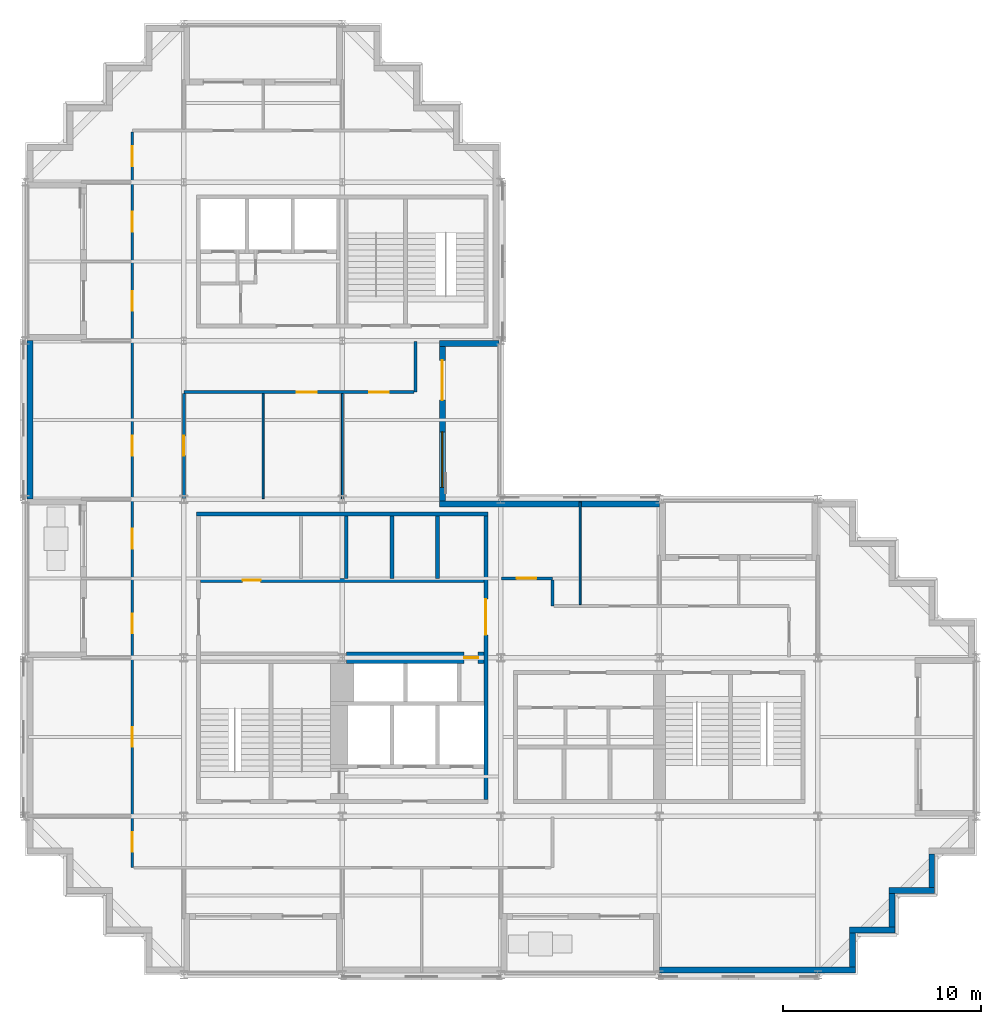
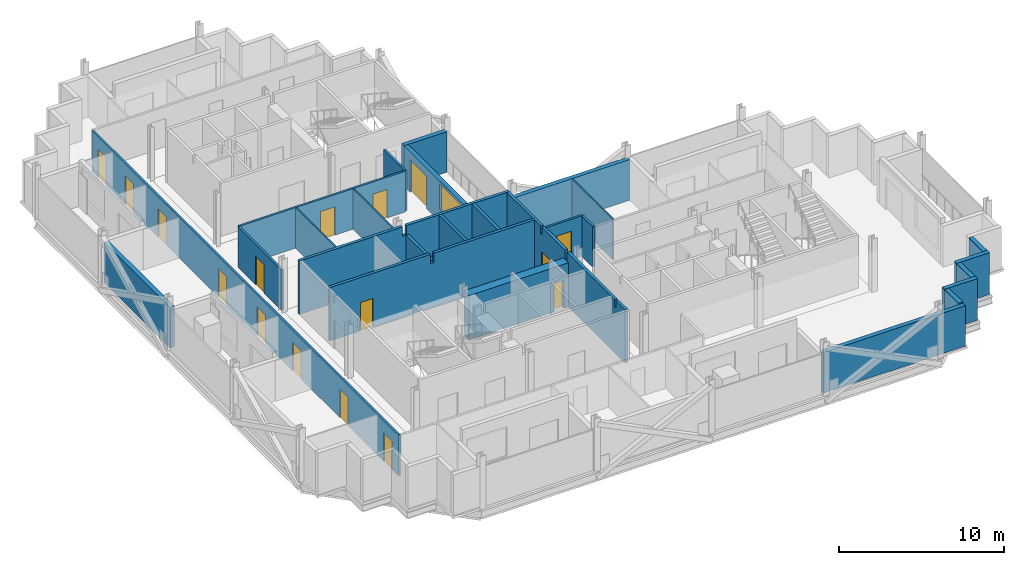
# One storey, part 6 of 12: 26 walls, 16 doors, 1 window, 17 openings.
"""IFC4 building model written with IfcOpenShell, lengths in metres."""

from ifc_helpers import new_model, si_unit, direction, frame, frame_2d, origin, place, context, subcontext, project, spatial, polyline, rectangle, outline, extrude, material, layer, layer_set, type_object, element, fill, save


model = new_model("IFC4")

# Units and contexts
model_context = context("Model", 3, precision=1e-05, world=origin(), true_north=direction((0.0, 1.0)))
body_context = subcontext(model_context, "Body", "Model", "MODEL_VIEW")
ifc_project = project(units=[si_unit("LENGTHUNIT", "METRE"), si_unit("AREAUNIT", "SQUARE_METRE"), si_unit("VOLUMEUNIT", "CUBIC_METRE"), si_unit("PLANEANGLEUNIT", "RADIAN"), si_unit("MASSUNIT", "GRAM", prefix="KILO")], contexts=[model_context])

# Site, building, storey
site_placement = place(None, origin())
site = spatial("IfcSite", under=ifc_project, at=site_placement, CompositionType="ELEMENT")
building_placement = place(site_placement, origin())
building = spatial("IfcBuilding", under=site, at=building_placement, Name="Immortelle Media Tower", CompositionType="ELEMENT")
storey_placement = place(building_placement, frame((0.0, 0.0, 178.800048828125)))
storey = spatial("IfcBuildingStorey", under=building, at=storey_placement, Name="L37", CompositionType="ELEMENT", Elevation=178.800048828125)

# Wall, opening, door
ifc_material_1 = material(Name="Fire-rated masonry blockwork", Category="masonry")
ifc_layer_1 = layer(ifc_material_1, 0.60009765625)
ifc_layer_set_1 = layer_set([ifc_layer_1], Name="Fire-rated masonry blockwork")
wall_type_1 = type_object("IfcWallType", Name="Core grid-line wall 600", PredefinedType="PARTITIONING", material=ifc_layer_set_1)
wall_1_placement = place(storey_placement, frame((16.20947265625, 16.0, 0.0), z_axis=(0.0, 0.0, 1.0), x_axis=(1.0, 0.0, 0.0)))
wall_1 = element("IfcWall", 1, at=wall_1_placement, inside=storey, type_object=wall_type_1, Name="Core grid-line wall SW", PredefinedType="PARTITIONING", context=body_context, shape_type="SweptSolid", body=[
    extrude(rectangle(XDim=6.9404296875, YDim=0.60009765625, at=frame_2d((3.47021484375, 0.0))), origin(), (0.0, 0.0, 1.0), 3.265869140625),
])
opening_1_placement = place(wall_1_placement, frame((6.640380859375, 0.0, 0.0), z_axis=(0.0, 0.0, 1.0), x_axis=(-1.0, 0.0, 0.0)))
opening_1 = element("IfcOpeningElement", 2, at=opening_1_placement, cuts=wall_1, Name="Opening C6-K014", PredefinedType="OPENING", context=body_context, shape_type="SweptSolid", body=[
    extrude(rectangle(XDim=0.699951171875, YDim=2.10009765625, at=frame_2d((0.35009765625, 1.050048828125))), frame((0.0, 0.31005859375, 0.0), z_axis=(0.0, -1.0, 0.0), x_axis=(1.0, 0.0, 0.0)), (0.0, 0.0, 1.0), 0.6201171875),
])
ifc_material_2 = material(Name="Galvanised steel door leaf and frame ASTM A653", Category="steel")
door_type_1 = type_object("IfcDoorType", Name="Service door 700 x 2100", OperationType="NOTDEFINED", PredefinedType="NOTDEFINED", material=ifc_material_2)
door_1_placement = place(opening_1_placement, origin())
door_1 = element("IfcDoor", 3, at=door_1_placement, inside=storey, type_object=door_type_1, Name="Service C6-K014", OperationType="SINGLE_SWING_LEFT", OverallHeight=2.10009765625, OverallWidth=0.699951171875, PredefinedType="NOTDEFINED", context=body_context, shape_type="SweptSolid", body=[
    extrude(rectangle(XDim=0.699951171875, YDim=2.10009765625, at=frame_2d((0.35009765625, 1.050048828125))), frame((0.0, 0.02490234375, 0.0), z_axis=(0.0, -1.0, 0.0), x_axis=(1.0, 0.0, 0.0)), (0.0, 0.0, 1.0), 0.050048828125),
])
fill(opening_1, door_1)

# Wall
ifc_material_3 = material(Name="Fire-rated gypsum board", Category="gypsum")
ifc_layer_2 = layer(ifc_material_3, 0.03759765625)
ifc_material_4 = material(Name="Steel ASTM A653 SS Gr 50 stud frame with mineral wool", Category="steel")
ifc_layer_3 = layer(ifc_material_4, 0.125)
ifc_layer_4 = layer(ifc_material_3, 0.03759765625)
ifc_layer_set_2 = layer_set([ifc_layer_2, ifc_layer_3, ifc_layer_4], Name="Steel ASTM A653 SS Gr 50 stud frame with mineral wool")
wall_type_2 = type_object("IfcWallType", Name="Core shaft wall 200", PredefinedType="PARTITIONING", material=ifc_layer_set_2)
wall_2_placement = place(storey_placement, frame((8.64990234375, 23.25, 0.0), z_axis=(0.0, 0.0, 1.0), x_axis=(1.0, 0.0, 0.0)))
element("IfcWall", 4, at=wall_2_placement, inside=storey, type_object=wall_type_2, Name="Core shaft wall SW", PredefinedType="PARTITIONING", context=body_context, shape_type="SweptSolid", body=[
    extrude(outline(polyline([(0.0, 0.0), (14.7001953125, 0.0), (14.699951171875, 3.949951171875), (7.4814453125, 3.949951171875), (7.48046875, 3.265869140625), (7.219482421875, 3.265869140625), (7.218505859375, 3.949951171875), (0.0, 3.949951171875), (0.0, 0.0)])), frame((0.0, 0.10009765625, 0.0), z_axis=(0.0, -1.0, 0.0), x_axis=(1.0, 0.0, 0.0)), (0.0, 0.0, 1.0), 0.199951171875),
])

# Wall, opening, door
wall_3_placement = place(storey_placement, frame((8.85009765625, 19.89990234375, 0.0), z_axis=(0.0, 0.0, 1.0), x_axis=(1.0, 0.0, 0.0)))
wall_3 = element("IfcWall", 5, at=wall_3_placement, inside=storey, type_object=wall_type_2, Name="Core shaft wall SW", PredefinedType="PARTITIONING", context=body_context, shape_type="SweptSolid", body=[
    extrude(outline(polyline([(0.0, 0.0), (14.2998046875, 0.0), (14.300048828125, 3.949951171875), (7.281494140625, 3.949951171875), (7.280517578125, 3.265869140625), (7.01953125, 3.265869140625), (7.0185546875, 3.949951171875), (0.0, 3.949951171875), (0.0, 0.0)])), frame((0.0, 0.10009765625, 0.0), z_axis=(0.0, -1.0, 0.0), x_axis=(1.0, 0.0, 0.0)), (0.0, 0.0, 1.0), 0.199951171875),
])
opening_2_placement = place(wall_3_placement, frame((2.125, 0.0, 0.0)))
opening_2 = element("IfcOpeningElement", 6, at=opening_2_placement, cuts=wall_3, Name="Opening C6-K030", PredefinedType="OPENING", context=body_context, shape_type="SweptSolid", body=[
    extrude(rectangle(XDim=0.89990234375, YDim=2.10009765625, at=frame_2d((0.449951171875, 1.050048828125))), frame((0.0, 0.10986328125, 0.0), z_axis=(0.0, -1.0, 0.0), x_axis=(1.0, 0.0, 0.0)), (0.0, 0.0, 1.0), 0.219970703125),
])
ifc_material_5 = material(Name="Timber", Category="wood")
door_type_2 = type_object("IfcDoorType", Name="Room door 900 x 2100", OperationType="NOTDEFINED", PredefinedType="NOTDEFINED", material=ifc_material_5)
door_2_placement = place(opening_2_placement, origin())
door_2 = element("IfcDoor", 7, at=door_2_placement, inside=storey, type_object=door_type_2, Name="Room C6-K030", OperationType="SINGLE_SWING_LEFT", OverallHeight=2.10009765625, OverallWidth=0.89990234375, PredefinedType="NOTDEFINED", context=body_context, shape_type="SweptSolid", body=[
    extrude(rectangle(XDim=0.89990234375, YDim=2.10009765625, at=frame_2d((0.449951171875, 1.050048828125))), frame((0.0, 0.02490234375, 0.0), z_axis=(0.0, -1.0, 0.0), x_axis=(1.0, 0.0, 0.0)), (0.0, 0.0, 1.0), 0.050048828125),
])
fill(opening_2, door_2)

# Walls
wall_4_placement = place(storey_placement, frame((16.199951171875, 20.0, 0.0), z_axis=(0.0, 0.0, 1.0), x_axis=(0.0, 1.0, 0.0)))
element("IfcWall", 8, at=wall_4_placement, inside=storey, type_object=wall_type_2, Name="Core shaft wall SW", PredefinedType="PARTITIONING", context=body_context, shape_type="SweptSolid", body=[
    extrude(rectangle(XDim=3.14990234375, YDim=0.199951171875, at=frame_2d((1.574951171875, 0.0))), origin(), (0.0, 0.0, 1.0), 3.265869140625),
])
for number, where, z_axis, x_axis, name in (
    (9, (18.5, 20.0, 0.0), (0.0, 0.0, 1.0), (0.0, 1.0, 0.0), "Core shaft wall SW"),
    (10, (20.800048828125, 20.0, 0.0), (0.0, 0.0, 1.0), (0.0, 1.0, 0.0), "Core shaft wall SW"),
):
    element("IfcWall", number, at=place(storey_placement, frame(where, z_axis=z_axis, x_axis=x_axis)), inside=storey, type_object=wall_type_2, Name=name, PredefinedType="PARTITIONING", context=body_context, shape_type="SweptSolid", body=[
        extrude(rectangle(XDim=3.14990234375, YDim=0.199951171875, at=frame_2d((1.574951171875, 0.0))), origin(), (0.0, 0.0, 1.0), 3.949951171875),
    ])

# Wall, opening, door
wall_5_placement = place(storey_placement, frame((23.25, 8.85009765625, 0.0), z_axis=(0.0, 0.0, 1.0), x_axis=(0.0, 1.0, 0.0)))
wall_5 = element("IfcWall", 11, at=wall_5_placement, inside=storey, type_object=wall_type_2, Name="Core shaft wall SW", PredefinedType="PARTITIONING", context=body_context, shape_type="SweptSolid", body=[
    extrude(outline(polyline([(0.0, 0.0), (14.2998046875, 0.0), (14.300048828125, 3.949951171875), (10.238525390625, 3.949951171875), (10.237548828125, 3.407958984375), (10.0625, 3.407958984375), (10.0615234375, 3.949951171875), (7.281494140625, 3.949951171875), (7.280517578125, 3.265869140625), (7.01953125, 3.265869140625), (7.0185546875, 3.949951171875), (1.238525390625, 3.949951171875), (1.237548828125, 3.407958984375), (1.0625, 3.407958984375), (1.0615234375, 3.949951171875), (0.0, 3.949951171875), (0.0, 0.0)])), frame((0.0, 0.10009765625, 0.0), z_axis=(0.0, -1.0, 0.0), x_axis=(1.0, 0.0, 0.0)), (0.0, 0.0, 1.0), 0.199951171875),
])
opening_3_placement = place(wall_5_placement, frame((8.300048828125, 0.0, 0.0)))
opening_3 = element("IfcOpeningElement", 12, at=opening_3_placement, cuts=wall_5, Name="Opening C6-K015", PredefinedType="OPENING", context=body_context, shape_type="SweptSolid", body=[
    extrude(rectangle(XDim=1.800048828125, YDim=2.10009765625, at=frame_2d((0.89990234375, 1.050048828125))), frame((0.0, 0.10986328125, 0.0), z_axis=(0.0, -1.0, 0.0), x_axis=(1.0, 0.0, 0.0)), (0.0, 0.0, 1.0), 0.219970703125),
])
door_type_3 = type_object("IfcDoorType", Name="Lift lobby door 1800 x 2100", OperationType="DOUBLE_DOOR_SINGLE_SWING", PredefinedType="NOTDEFINED", material=ifc_material_2)
door_3_placement = place(opening_3_placement, origin())
door_3 = element("IfcDoor", 13, at=door_3_placement, inside=storey, type_object=door_type_3, Name="Lift lobby C6-K015", OperationType="DOUBLE_DOOR_SINGLE_SWING", OverallHeight=2.10009765625, OverallWidth=1.800048828125, PredefinedType="NOTDEFINED", context=body_context, shape_type="SweptSolid", body=[
    extrude(rectangle(XDim=1.800048828125, YDim=2.10009765625, at=frame_2d((0.89990234375, 1.050048828125))), frame((0.0, 0.02490234375, 0.0), z_axis=(0.0, -1.0, 0.0), x_axis=(1.0, 0.0, 0.0)), (0.0, 0.0, 1.0), 0.050048828125),
])
fill(opening_3, door_3)

# Wall, openings, doors
ifc_layer_5 = layer(ifc_material_3, 0.012451171875)
ifc_layer_6 = layer(ifc_material_4, 0.125)
ifc_layer_7 = layer(ifc_material_3, 0.012451171875)
ifc_layer_set_3 = layer_set([ifc_layer_5, ifc_layer_6, ifc_layer_7], Name="Steel ASTM A653 SS Gr 50 stud frame with mineral wool")
wall_type_3 = type_object("IfcWallType", Name="Corridor wall 150", PredefinedType="PARTITIONING", material=ifc_layer_set_3)
wall_6_placement = place(storey_placement, frame((5.39990234375, 5.39990234375, 0.0), z_axis=(0.0, 0.0, 1.0), x_axis=(0.0, 1.0, 0.0)))
wall_6 = element("IfcWall", 14, at=wall_6_placement, inside=storey, type_object=wall_type_3, Name="Partition L37-006", PredefinedType="PARTITIONING", context=body_context, shape_type="SweptSolid", body=[
    extrude(rectangle(XDim=37.125, YDim=0.14990234375, at=frame_2d((18.5625, 0.0))), origin(), (0.0, 0.0, 1.0), 2.993896484375),
])
opening_4_placement = place(wall_6_placement, frame((0.800048828125, 0.0, 0.0)))
opening_4 = element("IfcOpeningElement", 15, at=opening_4_placement, cuts=wall_6, Name="Opening C6-F004", PredefinedType="OPENING", context=body_context, shape_type="SweptSolid", body=[
    extrude(rectangle(XDim=1.0, YDim=2.10009765625, at=frame_2d((0.5, 1.050048828125))), frame((0.0, 0.0849609375, 0.0), z_axis=(0.0, -1.0, 0.0), x_axis=(1.0, 0.0, 0.0)), (0.0, 0.0, 1.0), 0.169921875),
])
opening_5_placement = place(wall_6_placement, frame((6.10009765625, 0.0, 0.0)))
opening_5 = element("IfcOpeningElement", 16, at=opening_5_placement, cuts=wall_6, Name="Opening C6-F006", PredefinedType="OPENING", context=body_context, shape_type="SweptSolid", body=[
    extrude(rectangle(XDim=1.0, YDim=2.10009765625, at=frame_2d((0.5, 1.050048828125))), frame((0.0, 0.0849609375, 0.0), z_axis=(0.0, -1.0, 0.0), x_axis=(1.0, 0.0, 0.0)), (0.0, 0.0, 1.0), 0.169921875),
])
opening_6_placement = place(wall_6_placement, frame((11.824951171875, 0.0, 0.0)))
opening_6 = element("IfcOpeningElement", 17, at=opening_6_placement, cuts=wall_6, Name="Opening C6-F009", PredefinedType="OPENING", context=body_context, shape_type="SweptSolid", body=[
    extrude(rectangle(XDim=1.0, YDim=2.10009765625, at=frame_2d((0.5, 1.050048828125))), frame((0.0, 0.0849609375, 0.0), z_axis=(0.0, -1.0, 0.0), x_axis=(1.0, 0.0, 0.0)), (0.0, 0.0, 1.0), 0.169921875),
])
opening_7_placement = place(wall_6_placement, frame((16.10009765625, 0.0, 0.0)))
opening_7 = element("IfcOpeningElement", 18, at=opening_7_placement, cuts=wall_6, Name="Opening C6-F010", PredefinedType="OPENING", context=body_context, shape_type="SweptSolid", body=[
    extrude(rectangle(XDim=1.0, YDim=2.10009765625, at=frame_2d((0.5, 1.050048828125))), frame((0.0, 0.0849609375, 0.0), z_axis=(0.0, -1.0, 0.0), x_axis=(1.0, 0.0, 0.0)), (0.0, 0.0, 1.0), 0.169921875),
])
opening_8_placement = place(wall_6_placement, frame((20.800048828125, 0.0, 0.0)))
opening_8 = element("IfcOpeningElement", 19, at=opening_8_placement, cuts=wall_6, Name="Opening C6-F016", PredefinedType="OPENING", context=body_context, shape_type="SweptSolid", body=[
    extrude(rectangle(XDim=1.0, YDim=2.10009765625, at=frame_2d((0.5, 1.050048828125))), frame((0.0, 0.0849609375, 0.0), z_axis=(0.0, -1.0, 0.0), x_axis=(1.0, 0.0, 0.0)), (0.0, 0.0, 1.0), 0.169921875),
])
opening_9_placement = place(wall_6_placement, frame((28.10009765625, 0.0, 0.0)))
opening_9 = element("IfcOpeningElement", 20, at=opening_9_placement, cuts=wall_6, Name="Opening C6-F017", PredefinedType="OPENING", context=body_context, shape_type="SweptSolid", body=[
    extrude(rectangle(XDim=1.0, YDim=2.10009765625, at=frame_2d((0.5, 1.050048828125))), frame((0.0, 0.0849609375, 0.0), z_axis=(0.0, -1.0, 0.0), x_axis=(1.0, 0.0, 0.0)), (0.0, 0.0, 1.0), 0.169921875),
])
opening_10_placement = place(wall_6_placement, frame((32.10009765625, 0.0, 0.0)))
opening_10 = element("IfcOpeningElement", 21, at=opening_10_placement, cuts=wall_6, Name="Opening C6-F018", PredefinedType="OPENING", context=body_context, shape_type="SweptSolid", body=[
    extrude(rectangle(XDim=1.0, YDim=2.10009765625, at=frame_2d((0.5, 1.050048828125))), frame((0.0, 0.0849609375, 0.0), z_axis=(0.0, -1.0, 0.0), x_axis=(1.0, 0.0, 0.0)), (0.0, 0.0, 1.0), 0.169921875),
])
opening_11_placement = place(wall_6_placement, frame((35.39990234375, 0.0, 0.0)))
opening_11 = element("IfcOpeningElement", 22, at=opening_11_placement, cuts=wall_6, Name="Opening C6-F019", PredefinedType="OPENING", context=body_context, shape_type="SweptSolid", body=[
    extrude(rectangle(XDim=1.0, YDim=2.10009765625, at=frame_2d((0.5, 1.050048828125))), frame((0.0, 0.0849609375, 0.0), z_axis=(0.0, -1.0, 0.0), x_axis=(1.0, 0.0, 0.0)), (0.0, 0.0, 1.0), 0.169921875),
])
ifc_material_6 = material(Name="Timber veneered door leaf, galvanised steel frame ASTM A653", Category="steel")
door_type_4 = type_object("IfcDoorType", Name="Room door 1000 x 2100", OperationType="NOTDEFINED", PredefinedType="DOOR", material=ifc_material_6)
door_4_placement = place(opening_4_placement, origin())
door_4 = element("IfcDoor", 23, at=door_4_placement, inside=storey, type_object=door_type_4, Name="Door C6-F004", OperationType="SINGLE_SWING_RIGHT", OverallHeight=2.10009765625, OverallWidth=1.0, PredefinedType="DOOR", context=body_context, shape_type="SweptSolid", body=[
    extrude(rectangle(XDim=1.0, YDim=2.10009765625, at=frame_2d((0.5, 1.050048828125))), frame((0.0, 0.02490234375, 0.0), z_axis=(0.0, -1.0, 0.0), x_axis=(1.0, 0.0, 0.0)), (0.0, 0.0, 1.0), 0.050048828125),
])
fill(opening_4, door_4)
door_5_placement = place(opening_5_placement, origin())
door_5 = element("IfcDoor", 24, at=door_5_placement, inside=storey, type_object=door_type_4, Name="Door C6-F006", OperationType="SINGLE_SWING_RIGHT", OverallHeight=2.10009765625, OverallWidth=1.0, PredefinedType="DOOR", context=body_context, shape_type="SweptSolid", body=[
    extrude(rectangle(XDim=1.0, YDim=2.10009765625, at=frame_2d((0.5, 1.050048828125))), frame((0.0, 0.02490234375, 0.0), z_axis=(0.0, -1.0, 0.0), x_axis=(1.0, 0.0, 0.0)), (0.0, 0.0, 1.0), 0.050048828125),
])
fill(opening_5, door_5)
door_6_placement = place(opening_6_placement, origin())
door_6 = element("IfcDoor", 25, at=door_6_placement, inside=storey, type_object=door_type_4, Name="Door C6-F009", OperationType="SINGLE_SWING_LEFT", OverallHeight=2.10009765625, OverallWidth=1.0, PredefinedType="DOOR", context=body_context, shape_type="SweptSolid", body=[
    extrude(rectangle(XDim=1.0, YDim=2.10009765625, at=frame_2d((0.5, 1.050048828125))), frame((0.0, 0.02490234375, 0.0), z_axis=(0.0, -1.0, 0.0), x_axis=(1.0, 0.0, 0.0)), (0.0, 0.0, 1.0), 0.050048828125),
])
fill(opening_6, door_6)
door_7_placement = place(opening_7_placement, origin())
door_7 = element("IfcDoor", 26, at=door_7_placement, inside=storey, type_object=door_type_4, Name="Door C6-F010", OperationType="SINGLE_SWING_LEFT", OverallHeight=2.10009765625, OverallWidth=1.0, PredefinedType="DOOR", context=body_context, shape_type="SweptSolid", body=[
    extrude(rectangle(XDim=1.0, YDim=2.10009765625, at=frame_2d((0.5, 1.050048828125))), frame((0.0, 0.02490234375, 0.0), z_axis=(0.0, -1.0, 0.0), x_axis=(1.0, 0.0, 0.0)), (0.0, 0.0, 1.0), 0.050048828125),
])
fill(opening_7, door_7)
door_8_placement = place(opening_8_placement, origin())
door_8 = element("IfcDoor", 27, at=door_8_placement, inside=storey, type_object=door_type_4, Name="Door C6-F016", OperationType="SINGLE_SWING_LEFT", OverallHeight=2.10009765625, OverallWidth=1.0, PredefinedType="DOOR", context=body_context, shape_type="SweptSolid", body=[
    extrude(rectangle(XDim=1.0, YDim=2.10009765625, at=frame_2d((0.5, 1.050048828125))), frame((0.0, 0.02490234375, 0.0), z_axis=(0.0, -1.0, 0.0), x_axis=(1.0, 0.0, 0.0)), (0.0, 0.0, 1.0), 0.050048828125),
])
fill(opening_8, door_8)
door_9_placement = place(opening_9_placement, origin())
door_9 = element("IfcDoor", 28, at=door_9_placement, inside=storey, type_object=door_type_4, Name="Door C6-F017", OperationType="SINGLE_SWING_RIGHT", OverallHeight=2.10009765625, OverallWidth=1.0, PredefinedType="DOOR", context=body_context, shape_type="SweptSolid", body=[
    extrude(rectangle(XDim=1.0, YDim=2.10009765625, at=frame_2d((0.5, 1.050048828125))), frame((0.0, 0.02490234375, 0.0), z_axis=(0.0, -1.0, 0.0), x_axis=(1.0, 0.0, 0.0)), (0.0, 0.0, 1.0), 0.050048828125),
])
fill(opening_9, door_9)
door_10_placement = place(opening_10_placement, origin())
door_10 = element("IfcDoor", 29, at=door_10_placement, inside=storey, type_object=door_type_4, Name="Door C6-F018", OperationType="SINGLE_SWING_RIGHT", OverallHeight=2.10009765625, OverallWidth=1.0, PredefinedType="DOOR", context=body_context, shape_type="SweptSolid", body=[
    extrude(rectangle(XDim=1.0, YDim=2.10009765625, at=frame_2d((0.5, 1.050048828125))), frame((0.0, 0.02490234375, 0.0), z_axis=(0.0, -1.0, 0.0), x_axis=(1.0, 0.0, 0.0)), (0.0, 0.0, 1.0), 0.050048828125),
])
fill(opening_10, door_10)
door_11_placement = place(opening_11_placement, origin())
door_11 = element("IfcDoor", 30, at=door_11_placement, inside=storey, type_object=door_type_4, Name="Door C6-F019", OperationType="SINGLE_SWING_LEFT", OverallHeight=2.10009765625, OverallWidth=1.0, PredefinedType="DOOR", context=body_context, shape_type="SweptSolid", body=[
    extrude(rectangle(XDim=1.0, YDim=2.10009765625, at=frame_2d((0.5, 1.050048828125))), frame((0.0, 0.02490234375, 0.0), z_axis=(0.0, -1.0, 0.0), x_axis=(1.0, 0.0, 0.0)), (0.0, 0.0, 1.0), 0.050048828125),
])
fill(opening_11, door_11)

# Wall
wall_7_placement = place(storey_placement, frame((26.60009765625, 18.60009765625, 0.0), z_axis=(0.0, 0.0, 1.0), x_axis=(0.0, 1.0, 0.0)))
element("IfcWall", 31, at=wall_7_placement, inside=storey, type_object=wall_type_3, Name="Partition L37-013", PredefinedType="PARTITIONING", context=body_context, shape_type="SweptSolid", body=[
    extrude(rectangle(XDim=1.324951171875, YDim=0.14990234375, at=frame_2d((0.66259765625, 0.0))), origin(), (0.0, 0.0, 1.0), 2.993896484375),
])

# Wall, opening, door
wall_8_placement = place(storey_placement, frame((24.030029296875, 20.0, 0.0), z_axis=(0.0, 0.0, 1.0), x_axis=(1.0, 0.0, 0.0)))
wall_8 = element("IfcWall", 32, at=wall_8_placement, inside=storey, type_object=wall_type_3, Name="Partition L37-018", PredefinedType="PARTITIONING", context=body_context, shape_type="SweptSolid", body=[
    extrude(rectangle(XDim=2.570068359375, YDim=0.14990234375, at=frame_2d((1.28515625, 0.0))), origin(), (0.0, 0.0, 1.0), 2.993896484375),
])
opening_12_placement = place(wall_8_placement, frame((0.77001953125, 0.0, 0.0)))
opening_12 = element("IfcOpeningElement", 33, at=opening_12_placement, cuts=wall_8, Name="Opening C6-F011", PredefinedType="OPENING", context=body_context, shape_type="SweptSolid", body=[
    extrude(rectangle(XDim=1.0, YDim=2.10009765625, at=frame_2d((0.5, 1.050048828125))), frame((0.0, 0.0849609375, 0.0), z_axis=(0.0, -1.0, 0.0), x_axis=(1.0, 0.0, 0.0)), (0.0, 0.0, 1.0), 0.169921875),
])
door_12_placement = place(opening_12_placement, origin())
door_12 = element("IfcDoor", 34, at=door_12_placement, inside=storey, type_object=door_type_4, Name="Door C6-F011", OperationType="SINGLE_SWING_LEFT", OverallHeight=2.10009765625, OverallWidth=1.0, PredefinedType="DOOR", context=body_context, shape_type="SweptSolid", body=[
    extrude(rectangle(XDim=1.0, YDim=2.10009765625, at=frame_2d((0.5, 1.050048828125))), frame((0.0, 0.02490234375, 0.0), z_axis=(0.0, -1.0, 0.0), x_axis=(1.0, 0.0, 0.0)), (0.0, 0.0, 1.0), 0.050048828125),
])
fill(opening_12, door_12)

wall_9_placement = place(storey_placement, frame((8.0, 24.030029296875, 0.0), z_axis=(0.0, 0.0, 1.0), x_axis=(0.0, 1.0, 0.0)))
wall_9 = element("IfcWall", 35, at=wall_9_placement, inside=storey, type_object=wall_type_3, Name="Partition L37-020", PredefinedType="PARTITIONING", context=body_context, shape_type="SweptSolid", body=[
    extrude(rectangle(XDim=5.294921875, YDim=0.14990234375, at=frame_2d((2.6474609375, 0.0))), origin(), (0.0, 0.0, 1.0), 2.993896484375),
])
opening_13_placement = place(wall_9_placement, frame((3.169921875, 0.0, 0.0), z_axis=(0.0, 0.0, 1.0), x_axis=(-1.0, 0.0, 0.0)))
opening_13 = element("IfcOpeningElement", 36, at=opening_13_placement, cuts=wall_9, Name="Opening C6-F013", PredefinedType="OPENING", context=body_context, shape_type="SweptSolid", body=[
    extrude(rectangle(XDim=1.0, YDim=2.10009765625, at=frame_2d((0.5, 1.050048828125))), frame((0.0, 0.0849609375, 0.0), z_axis=(0.0, -1.0, 0.0), x_axis=(1.0, 0.0, 0.0)), (0.0, 0.0, 1.0), 0.169921875),
])
door_13_placement = place(opening_13_placement, origin())
door_13 = element("IfcDoor", 37, at=door_13_placement, inside=storey, type_object=door_type_4, Name="Door C6-F013", OperationType="SINGLE_SWING_LEFT", OverallHeight=2.10009765625, OverallWidth=1.0, PredefinedType="DOOR", context=body_context, shape_type="SweptSolid", body=[
    extrude(rectangle(XDim=1.0, YDim=2.10009765625, at=frame_2d((0.5, 1.050048828125))), frame((0.0, 0.02490234375, 0.0), z_axis=(0.0, -1.0, 0.0), x_axis=(1.0, 0.0, 0.0)), (0.0, 0.0, 1.0), 0.050048828125),
])
fill(opening_13, door_13)

# Wall, openings, doors
wall_10_placement = place(storey_placement, frame((8.0, 29.39990234375, 0.0), z_axis=(0.0, 0.0, 1.0), x_axis=(1.0, 0.0, 0.0)))
wall_10 = element("IfcWall", 38, at=wall_10_placement, inside=storey, type_object=wall_type_3, Name="Partition L37-023", PredefinedType="PARTITIONING", context=body_context, shape_type="SweptSolid", body=[
    extrude(rectangle(XDim=11.625, YDim=0.14990234375, at=frame_2d((5.8125, 0.0))), origin(), (0.0, 0.0, 1.0), 2.993896484375),
])
opening_14_placement = place(wall_10_placement, frame((6.699951171875, 0.0, 0.0), z_axis=(0.0, 0.0, 1.0), x_axis=(-1.0, 0.0, 0.0)))
opening_14 = element("IfcOpeningElement", 39, at=opening_14_placement, cuts=wall_10, Name="Opening C6-F014", PredefinedType="OPENING", context=body_context, shape_type="SweptSolid", body=[
    extrude(rectangle(XDim=1.0, YDim=2.10009765625, at=frame_2d((0.5, 1.050048828125))), frame((0.0, 0.0849609375, 0.0), z_axis=(0.0, -1.0, 0.0), x_axis=(1.0, 0.0, 0.0)), (0.0, 0.0, 1.0), 0.169921875),
])
opening_15_placement = place(wall_10_placement, frame((10.35009765625, 0.0, 0.0), z_axis=(0.0, 0.0, 1.0), x_axis=(-1.0, 0.0, 0.0)))
opening_15 = element("IfcOpeningElement", 40, at=opening_15_placement, cuts=wall_10, Name="Opening C6-F015", PredefinedType="OPENING", context=body_context, shape_type="SweptSolid", body=[
    extrude(rectangle(XDim=1.0, YDim=2.10009765625, at=frame_2d((0.5, 1.050048828125))), frame((0.0, 0.0849609375, 0.0), z_axis=(0.0, -1.0, 0.0), x_axis=(1.0, 0.0, 0.0)), (0.0, 0.0, 1.0), 0.169921875),
])
door_14_placement = place(opening_14_placement, origin())
door_14 = element("IfcDoor", 41, at=door_14_placement, inside=storey, type_object=door_type_4, Name="Door C6-F014", OperationType="SINGLE_SWING_LEFT", OverallHeight=2.10009765625, OverallWidth=1.0, PredefinedType="DOOR", context=body_context, shape_type="SweptSolid", body=[
    extrude(rectangle(XDim=1.0, YDim=2.10009765625, at=frame_2d((0.5, 1.050048828125))), frame((0.0, 0.02490234375, 0.0), z_axis=(0.0, -1.0, 0.0), x_axis=(1.0, 0.0, 0.0)), (0.0, 0.0, 1.0), 0.050048828125),
])
fill(opening_14, door_14)
door_15_placement = place(opening_15_placement, origin())
door_15 = element("IfcDoor", 42, at=door_15_placement, inside=storey, type_object=door_type_4, Name="Door C6-F015", OperationType="SINGLE_SWING_RIGHT", OverallHeight=2.10009765625, OverallWidth=1.0, PredefinedType="DOOR", context=body_context, shape_type="SweptSolid", body=[
    extrude(rectangle(XDim=1.0, YDim=2.10009765625, at=frame_2d((0.5, 1.050048828125))), frame((0.0, 0.02490234375, 0.0), z_axis=(0.0, -1.0, 0.0), x_axis=(1.0, 0.0, 0.0)), (0.0, 0.0, 1.0), 0.050048828125),
])
fill(opening_15, door_15)

# Walls
wall_11_placement = place(storey_placement, frame((19.699951171875, 29.39990234375, 0.0), z_axis=(0.0, 0.0, 1.0), x_axis=(0.0, 1.0, 0.0)))
element("IfcWall", 43, at=wall_11_placement, inside=storey, type_object=wall_type_3, Name="Partition L37-024", PredefinedType="PARTITIONING", context=body_context, shape_type="SweptSolid", body=[
    extrude(rectangle(XDim=2.570068359375, YDim=0.14990234375, at=frame_2d((1.28515625, 0.0))), origin(), (0.0, 0.0, 1.0), 2.993896484375),
])
ifc_material_7 = material(Name="Pale aluminium cladding panel", Category="aluminium")
ifc_layer_8 = layer(ifc_material_7, 0.030029296875)
ifc_layer_9 = layer(ifc_material_4, 0.257568359375)
ifc_material_8 = material(Name="Moisture-resistant gypsum board", Category="gypsum")
ifc_layer_10 = layer(ifc_material_8, 0.012451171875)
ifc_layer_set_4 = layer_set([ifc_layer_8, ifc_layer_9, ifc_layer_10], Name="Steel ASTM A653 SS Gr 50 stud frame with mineral wool")
wall_type_4 = type_object("IfcWallType", Name="Facade wall 300", PredefinedType="SOLIDWALL", material=ifc_layer_set_4)
wall_12_placement = place(storey_placement, frame((32.0, 0.25, 0.0), z_axis=(0.0, 0.0, 1.0), x_axis=(1.0, 0.0, 0.0)))
element("IfcWall", 44, at=wall_12_placement, inside=storey, type_object=wall_type_4, Name="Facade wall L37 S6", PredefinedType="SOLIDWALL", context=body_context, shape_type="SweptSolid", body=[
    extrude(rectangle(XDim=9.89990234375, YDim=0.300048828125, at=frame_2d((4.949951171875, 0.0))), origin(), (0.0, 0.0, 1.0), 2.9990234375),
])
wall_13_placement = place(storey_placement, frame((41.75, 0.39990234375, 0.0), z_axis=(0.0, 0.0, 1.0), x_axis=(0.0, 1.0, 0.0)))
element("IfcWall", 45, at=wall_13_placement, inside=storey, type_object=wall_type_4, Name="Facade wall L37 E7", PredefinedType="SOLIDWALL", context=body_context, shape_type="SweptSolid", body=[
    extrude(rectangle(XDim=1.7001953125, YDim=0.300048828125, at=frame_2d((0.85009765625, 0.0))), origin(), (0.0, 0.0, 1.0), 3.087890625),
])
wall_14_placement = place(storey_placement, frame((41.60009765625, 2.25, 0.0), z_axis=(0.0, 0.0, 1.0), x_axis=(1.0, 0.0, 0.0)))
element("IfcWall", 46, at=wall_14_placement, inside=storey, type_object=wall_type_4, Name="Facade wall L37 S8", PredefinedType="SOLIDWALL", context=body_context, shape_type="SweptSolid", body=[
    extrude(rectangle(XDim=2.2998046875, YDim=0.300048828125, at=frame_2d((1.14990234375, 0.0))), origin(), (0.0, 0.0, 1.0), 3.087890625),
])
wall_15_placement = place(storey_placement, frame((43.75, 2.39990234375, 0.0), z_axis=(0.0, 0.0, 1.0), x_axis=(0.0, 1.0, 0.0)))
element("IfcWall", 47, at=wall_15_placement, inside=storey, type_object=wall_type_4, Name="Facade wall L37 E9", PredefinedType="SOLIDWALL", context=body_context, shape_type="SweptSolid", body=[
    extrude(rectangle(XDim=1.7001953125, YDim=0.300048828125, at=frame_2d((0.85009765625, 0.0))), origin(), (0.0, 0.0, 1.0), 3.087890625),
])
wall_16_placement = place(storey_placement, frame((43.60009765625, 4.25, 0.0), z_axis=(0.0, 0.0, 1.0), x_axis=(1.0, 0.0, 0.0)))
element("IfcWall", 48, at=wall_16_placement, inside=storey, type_object=wall_type_4, Name="Facade wall L37 S10", PredefinedType="SOLIDWALL", context=body_context, shape_type="SweptSolid", body=[
    extrude(rectangle(XDim=2.2998046875, YDim=0.300048828125, at=frame_2d((1.14990234375, 0.0))), origin(), (0.0, 0.0, 1.0), 3.087890625),
])
wall_17_placement = place(storey_placement, frame((45.75, 4.39990234375, 0.0), z_axis=(0.0, 0.0, 1.0), x_axis=(0.0, 1.0, 0.0)))
element("IfcWall", 49, at=wall_17_placement, inside=storey, type_object=wall_type_4, Name="Facade wall L37 E11", PredefinedType="SOLIDWALL", context=body_context, shape_type="SweptSolid", body=[
    extrude(rectangle(XDim=1.7001953125, YDim=0.300048828125, at=frame_2d((0.85009765625, 0.0))), origin(), (0.0, 0.0, 1.0), 3.087890625),
])
wall_18_placement = place(storey_placement, frame((32.0, 23.75, 0.0), z_axis=(0.0, 0.0, 1.0), x_axis=(-1.0, 0.0, 0.0)))
element("IfcWall", 50, at=wall_18_placement, inside=storey, type_object=wall_type_4, Name="Facade wall L37 N20", PredefinedType="SOLIDWALL", context=body_context, shape_type="SweptSolid", body=[
    extrude(rectangle(XDim=11.10009765625, YDim=0.300048828125, at=frame_2d((5.550048828125, 0.0))), origin(), (0.0, 0.0, 1.0), 2.9990234375),
])

# Wall, openings, door, window
wall_19_placement = place(storey_placement, frame((21.050048828125, 23.89990234375, 0.0), z_axis=(0.0, 0.0, 1.0), x_axis=(0.0, 1.0, 0.0)))
wall_19 = element("IfcWall", 51, at=wall_19_placement, inside=storey, type_object=wall_type_4, Name="Loggia wall L37 E21", PredefinedType="SOLIDWALL", context=body_context, shape_type="SweptSolid", body=[
    extrude(rectangle(XDim=7.800048828125, YDim=0.300048828125, at=frame_2d((3.89990234375, 0.0))), origin(), (0.0, 0.0, 1.0), 2.9990234375),
])
opening_16_placement = place(wall_19_placement, frame((0.699951171875, 0.0, 0.89990234375)))
opening_16 = element("IfcOpeningElement", 52, at=opening_16_placement, cuts=wall_19, Name="Opening W11", PredefinedType="OPENING", context=body_context, shape_type="SweptSolid", body=[
    extrude(rectangle(XDim=2.800048828125, YDim=1.89990234375, at=frame_2d((1.39990234375, 0.949951171875))), frame((0.0, 0.159912109375, 0.0), z_axis=(0.0, -1.0, 0.0), x_axis=(1.0, 0.0, 0.0)), (0.0, 0.0, 1.0), 0.320068359375),
])
opening_17_placement = place(wall_19_placement, frame((5.10009765625, 0.0, 0.0)))
opening_17 = element("IfcOpeningElement", 53, at=opening_17_placement, cuts=wall_19, Name="Opening C6-E005", PredefinedType="OPENING", context=body_context, shape_type="SweptSolid", body=[
    extrude(rectangle(XDim=2.0, YDim=2.39990234375, at=frame_2d((1.0, 1.199951171875))), frame((0.0, 0.159912109375, 0.0), z_axis=(0.0, -1.0, 0.0), x_axis=(1.0, 0.0, 0.0)), (0.0, 0.0, 1.0), 0.320068359375),
])
ifc_material_9 = material(Name="Aluminium frame, glazed leaves", Category="aluminium")
door_type_5 = type_object("IfcDoorType", Name="Loggia door 2000 x 2400", OperationType="DOUBLE_DOOR_SINGLE_SWING", PredefinedType="DOOR", material=ifc_material_9)
door_16_placement = place(opening_17_placement, origin())
door_16 = element("IfcDoor", 54, at=door_16_placement, inside=storey, type_object=door_type_5, Name="Door C6-E005", OperationType="DOUBLE_DOOR_SINGLE_SWING", OverallHeight=2.39990234375, OverallWidth=2.0, PredefinedType="DOOR", context=body_context, shape_type="SweptSolid", body=[
    extrude(rectangle(XDim=2.0, YDim=2.39990234375, at=frame_2d((1.0, 1.199951171875))), frame((0.0, 0.02490234375, 0.0), z_axis=(0.0, -1.0, 0.0), x_axis=(1.0, 0.0, 0.0)), (0.0, 0.0, 1.0), 0.050048828125),
])
fill(opening_17, door_16)
ifc_material_10 = material(Name="Aluminium frame", Category="aluminium")
window_type = type_object("IfcWindowType", Name="Window 2800 x 1900", PartitioningType="SINGLE_PANEL", PredefinedType="WINDOW", material=ifc_material_10)
window_placement = place(opening_16_placement, origin())
window = element("IfcWindow", 55, at=window_placement, inside=storey, type_object=window_type, Name="Window L37 L37-R21-B0", OverallHeight=1.89990234375, OverallWidth=2.800048828125, PartitioningType="SINGLE_PANEL", PredefinedType="WINDOW", context=body_context, shape_type="SweptSolid", body=[
    extrude(rectangle(XDim=2.800048828125, YDim=1.89990234375, at=frame_2d((1.39990234375, 0.949951171875))), frame((0.0, 0.030029296875, 0.0), z_axis=(0.0, -1.0, 0.0), x_axis=(1.0, 0.0, 0.0)), (0.0, 0.0, 1.0), 0.06005859375),
])
fill(opening_16, window)

# Walls
wall_20_placement = place(storey_placement, frame((23.89990234375, 31.85009765625, 0.0), z_axis=(0.0, 0.0, 1.0), x_axis=(-1.0, 0.0, 0.0)))
element("IfcWall", 56, at=wall_20_placement, inside=storey, type_object=wall_type_4, Name="Loggia cheek wall L37 E", PredefinedType="SOLIDWALL", context=body_context, shape_type="SweptSolid", body=[
    extrude(rectangle(XDim=3.0, YDim=0.300048828125, at=frame_2d((1.5, 0.0))), origin(), (0.0, 0.0, 1.0), 2.9990234375),
])
wall_21_placement = place(storey_placement, frame((0.25, 32.0, 0.0), z_axis=(0.0, 0.0, 1.0), x_axis=(0.0, -1.0, 0.0)))
element("IfcWall", 57, at=wall_21_placement, inside=storey, type_object=wall_type_4, Name="Facade wall L37 W35", PredefinedType="SOLIDWALL", context=body_context, shape_type="SweptSolid", body=[
    extrude(rectangle(XDim=8.0, YDim=0.300048828125, at=frame_2d((4.0, 0.0))), origin(), (0.0, 0.0, 1.0), 2.9990234375),
])
ifc_material_11 = material(Name="Gypsum board", Category="gypsum")
ifc_layer_11 = layer(ifc_material_11, 0.012451171875)
ifc_layer_12 = layer(ifc_material_4, 0.074951171875)
ifc_layer_13 = layer(ifc_material_11, 0.012451171875)
ifc_layer_set_5 = layer_set([ifc_layer_11, ifc_layer_12, ifc_layer_13], Name="Steel ASTM A653 SS Gr 50 stud frame with mineral wool")
wall_type_5 = type_object("IfcWallType", Name="Partition 100", PredefinedType="PARTITIONING", material=ifc_layer_set_5)
wall_22_placement = place(storey_placement, frame((28.0, 18.675048828125, 0.0), z_axis=(0.0, 0.0, 1.0), x_axis=(0.0, 1.0, 0.0)))
element("IfcWall", 58, at=wall_22_placement, inside=storey, type_object=wall_type_5, Name="Partition L37-014", PredefinedType="PARTITIONING", context=body_context, shape_type="SweptSolid", body=[
    extrude(rectangle(XDim=5.195068359375, YDim=0.10009765625, at=frame_2d((2.59765625, 0.0))), origin(), (0.0, 0.0, 1.0), 2.993896484375),
])
for number, where, z_axis, x_axis, name in (
    (59, (12.0, 24.030029296875, 0.0), (0.0, 0.0, 1.0), (0.0, 1.0, 0.0), "Partition L37-021"),
    (60, (16.0, 24.030029296875, 0.0), (0.0, 0.0, 1.0), (0.0, 1.0, 0.0), "Partition L37-022"),
):
    element("IfcWall", number, at=place(storey_placement, frame(where, z_axis=z_axis, x_axis=x_axis)), inside=storey, type_object=wall_type_5, Name=name, PredefinedType="PARTITIONING", context=body_context, shape_type="SweptSolid", body=[
        extrude(rectangle(XDim=5.294921875, YDim=0.10009765625, at=frame_2d((2.6474609375, 0.0))), origin(), (0.0, 0.0, 1.0), 2.993896484375),
    ])

save(model, "model.ifc")
